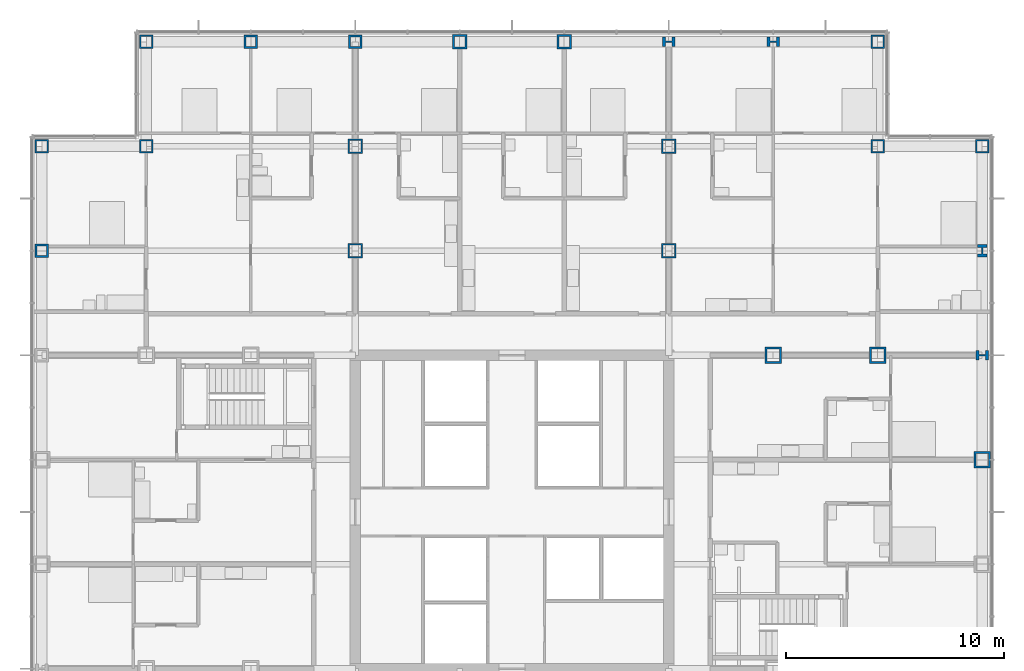
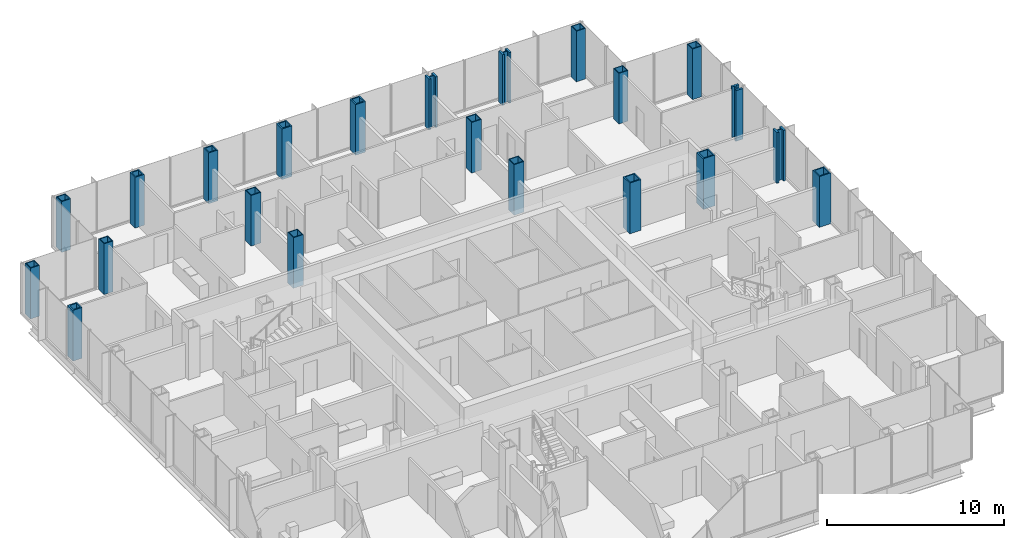
# One storey, part 5 of 21: 22 columns.
"""IFC4 building model written with IfcOpenShell, lengths in metres."""

from ifc_helpers import new_model, si_unit, direction, frame, origin, origin_2d, place, context, subcontext, project, spatial, hollow_rectangle, i_section, extrude, material, material_profile, profile_set, type_object, element, save


model = new_model("IFC4")

# Units and contexts
model_context = context("Model", 3, precision=1e-05, world=origin(), true_north=direction((0.0, 1.0)))
body_context = subcontext(model_context, "Body", "Model", "MODEL_VIEW")
ifc_project = project(units=[si_unit("LENGTHUNIT", "METRE"), si_unit("AREAUNIT", "SQUARE_METRE"), si_unit("VOLUMEUNIT", "CUBIC_METRE"), si_unit("PLANEANGLEUNIT", "RADIAN"), si_unit("MASSUNIT", "GRAM", prefix="KILO")], contexts=[model_context])

# Site, building, storey
site_placement = place(None, origin())
site = spatial("IfcSite", under=ifc_project, at=site_placement, CompositionType="ELEMENT")
building_placement = place(site_placement, origin())
building = spatial("IfcBuilding", under=site, at=building_placement, Name="Kvirike Care Tower", CompositionType="ELEMENT")
storey_placement = place(building_placement, frame((0.0, 0.0, 48.0)))
storey = spatial("IfcBuildingStorey", under=building, at=storey_placement, Name="L12", CompositionType="ELEMENT", Elevation=48.0)

# Columns
ifc_material_1 = material(Name="Steel S460", Category="steel")
ifc_material_profile_1 = material_profile(ifc_material_1, hollow_rectangle(XDim=0.60009765625, YDim=0.60009765625, WallThickness=0.050048828125, at=origin_2d()), Name="BX 600x600x50")
ifc_profile_set_1 = profile_set([ifc_material_profile_1], Name="Steel S460")
column_type_1 = type_object("IfcColumnType", Name="COLUMN BX 600x600x50", PredefinedType="COLUMN", material=ifc_profile_set_1)
for number, where, z_axis, x_axis, name in (
    (1, (38.39990234375, 52.800048828125, 0.0), (0.0, 0.0, 1.0), (0.0, 1.0, 0.0), "Column M11 L12"),
    (2, (38.39990234375, 57.60009765625, 0.0), (0.0, 0.0, 1.0), (0.0, 1.0, 0.0), "Column N11 L12"),
    (3, (43.199951171875, 52.800048828125, 0.0), (0.0, 0.0, 1.0), (0.0, 1.0, 0.0), "Column M12 L12"),
):
    element("IfcColumn", number, at=place(storey_placement, frame(where, z_axis=z_axis, x_axis=x_axis)), inside=storey, type_object=column_type_1, Name=name, PredefinedType="COLUMN", context=body_context, shape_type="SweptSolid", body=[
        extrude(hollow_rectangle(XDim=0.60009765625, YDim=0.60009765625, WallThickness=0.050048828125, at=origin_2d()), origin(), (0.0, 0.0, 1.0), 3.5),
    ])
ifc_material_2 = material(Name="Steel S460", Category="steel")
ifc_material_profile_2 = material_profile(ifc_material_2, hollow_rectangle(XDim=0.60009765625, YDim=0.60009765625, WallThickness=0.06005859375, at=origin_2d()), Name="BX 600x600x60")
ifc_profile_set_2 = profile_set([ifc_material_profile_2], Name="Steel S460")
column_type_2 = type_object("IfcColumnType", Name="COLUMN BX 600x600x60", PredefinedType="COLUMN", material=ifc_profile_set_2)
for number, where, z_axis, x_axis, name in (
    (4, (0.0, 52.800048828125, 0.0), (0.0, 0.0, 1.0), (0.0, 1.0, 0.0), "Column M3 L12"),
    (5, (4.800048828125, 52.800048828125, 0.0), (0.0, 0.0, 1.0), (0.0, 1.0, 0.0), "Column M4 L12"),
    (6, (4.800048828125, 57.60009765625, 0.0), (0.0, 0.0, 1.0), (0.0, 1.0, 0.0), "Column N4 L12"),
):
    element("IfcColumn", number, at=place(storey_placement, frame(where, z_axis=z_axis, x_axis=x_axis)), inside=storey, type_object=column_type_2, Name=name, PredefinedType="COLUMN", context=body_context, shape_type="SweptSolid", body=[
        extrude(hollow_rectangle(XDim=0.60009765625, YDim=0.60009765625, WallThickness=0.06005859375, at=origin_2d()), origin(), (0.0, 0.0, 1.0), 3.5),
    ])
ifc_material_3 = material(Name="Steel S460", Category="steel")
ifc_material_profile_3 = material_profile(ifc_material_3, hollow_rectangle(XDim=0.60009765625, YDim=0.60009765625, WallThickness=0.080078125, at=origin_2d()), Name="BX 600x600x80")
ifc_profile_set_3 = profile_set([ifc_material_profile_3], Name="Steel S460")
column_type_3 = type_object("IfcColumnType", Name="COLUMN BX 600x600x80", PredefinedType="COLUMN", material=ifc_profile_set_3)
for number, where, z_axis, x_axis, name in (
    (7, (0.0, 48.0, 0.0), (0.0, 0.0, 1.0), (1.0, 0.0, 0.0), "Column L3 L12"),
    (8, (9.60009765625, 57.60009765625, 0.0), (0.0, 0.0, 1.0), (0.0, 1.0, 0.0), "Column N5 L12"),
    (9, (14.39990234375, 57.60009765625, 0.0), (0.0, 0.0, 1.0), (0.0, 1.0, 0.0), "Column N6 L12"),
):
    element("IfcColumn", number, at=place(storey_placement, frame(where, z_axis=z_axis, x_axis=x_axis)), inside=storey, type_object=column_type_3, Name=name, PredefinedType="COLUMN", context=body_context, shape_type="SweptSolid", body=[
        extrude(hollow_rectangle(XDim=0.60009765625, YDim=0.60009765625, WallThickness=0.080078125, at=origin_2d()), origin(), (0.0, 0.0, 1.0), 3.5),
    ])
ifc_material_4 = material(Name="Steel S460", Category="steel")
ifc_material_profile_4 = material_profile(ifc_material_4, hollow_rectangle(XDim=0.64990234375, YDim=0.64990234375, WallThickness=0.050048828125, at=origin_2d()), Name="BX 650x650x50")
ifc_profile_set_4 = profile_set([ifc_material_profile_4], Name="Steel S460")
column_type_4 = type_object("IfcColumnType", Name="COLUMN BX 650x650x50", PredefinedType="COLUMN", material=ifc_profile_set_4)
for number, where, z_axis, x_axis, name in (
    (10, (14.39990234375, 48.0, 0.0), (0.0, 0.0, 1.0), (1.0, 0.0, 0.0), "Column L6 L12"),
    (11, (14.39990234375, 52.800048828125, 0.0), (0.0, 0.0, 1.0), (1.0, 0.0, 0.0), "Column M6 L12"),
    (12, (28.800048828125, 48.0, 0.0), (0.0, 0.0, 1.0), (1.0, 0.0, 0.0), "Column L9 L12"),
    (13, (28.800048828125, 52.800048828125, 0.0), (0.0, 0.0, 1.0), (1.0, 0.0, 0.0), "Column M9 L12"),
):
    element("IfcColumn", number, at=place(storey_placement, frame(where, z_axis=z_axis, x_axis=x_axis)), inside=storey, type_object=column_type_4, Name=name, PredefinedType="COLUMN", context=body_context, shape_type="SweptSolid", body=[
        extrude(hollow_rectangle(XDim=0.64990234375, YDim=0.64990234375, WallThickness=0.050048828125, at=origin_2d()), origin(), (0.0, 0.0, 1.0), 3.5),
    ])
ifc_material_5 = material(Name="Steel S460", Category="steel")
ifc_material_profile_5 = material_profile(ifc_material_5, hollow_rectangle(XDim=0.64990234375, YDim=0.64990234375, WallThickness=0.080078125, at=origin_2d()), Name="BX 650x650x80")
ifc_profile_set_5 = profile_set([ifc_material_profile_5], Name="Steel S460")
column_type_5 = type_object("IfcColumnType", Name="COLUMN BX 650x650x80", PredefinedType="COLUMN", material=ifc_profile_set_5)
for number, where, z_axis, x_axis, name in (
    (14, (19.199951171875, 57.60009765625, 0.0), (0.0, 0.0, 1.0), (0.0, 1.0, 0.0), "Column N7 L12"),
    (15, (24.0, 57.60009765625, 0.0), (0.0, 0.0, 1.0), (0.0, 1.0, 0.0), "Column N8 L12"),
):
    element("IfcColumn", number, at=place(storey_placement, frame(where, z_axis=z_axis, x_axis=x_axis)), inside=storey, type_object=column_type_5, Name=name, PredefinedType="COLUMN", context=body_context, shape_type="SweptSolid", body=[
        extrude(hollow_rectangle(XDim=0.64990234375, YDim=0.64990234375, WallThickness=0.080078125, at=origin_2d()), origin(), (0.0, 0.0, 1.0), 3.5),
    ])
ifc_material_6 = material(Name="Steel S460", Category="steel")
ifc_material_profile_6 = material_profile(ifc_material_6, hollow_rectangle(XDim=0.75, YDim=0.75, WallThickness=0.080078125, at=origin_2d()), Name="BX 750x750x80")
ifc_profile_set_6 = profile_set([ifc_material_profile_6], Name="Steel S460")
column_type_6 = type_object("IfcColumnType", Name="COLUMN BX 750x750x80", PredefinedType="COLUMN", material=ifc_profile_set_6)
for number, where, z_axis, x_axis, name in (
    (16, (33.60009765625, 43.199951171875, 0.0), (0.0, 0.0, 1.0), (0.0, 1.0, 0.0), "Column K10 L12"),
    (17, (38.39990234375, 43.199951171875, 0.0), (0.0, 0.0, 1.0), (0.0, 1.0, 0.0), "Column K11 L12"),
    (18, (43.199951171875, 38.39990234375, 0.0), (0.0, 0.0, 1.0), (1.0, 0.0, 0.0), "Column J12 L12"),
):
    element("IfcColumn", number, at=place(storey_placement, frame(where, z_axis=z_axis, x_axis=x_axis)), inside=storey, type_object=column_type_6, Name=name, PredefinedType="COLUMN", context=body_context, shape_type="SweptSolid", body=[
        extrude(hollow_rectangle(XDim=0.75, YDim=0.75, WallThickness=0.080078125, at=origin_2d()), origin(), (0.0, 0.0, 1.0), 3.5),
    ])
ifc_material_7 = material(Name="Steel S460", Category="steel")
ifc_material_profile_7 = material_profile(ifc_material_7, i_section(OverallWidth=0.4541015625, OverallDepth=0.569091796875, WebThickness=0.077880859375, FlangeThickness=0.125, FilletRadius=0.014892578125, at=origin_2d()), Name="HD 400x1086")
ifc_profile_set_7 = profile_set([ifc_material_profile_7], Name="Steel S460")
column_type_7 = type_object("IfcColumnType", Name="COLUMN HD 400x1086", PredefinedType="COLUMN", material=ifc_profile_set_7)
for number, where, z_axis, x_axis, name in (
    (19, (28.800048828125, 57.60009765625, 0.0), (0.0, 0.0, 1.0), (0.0, 1.0, 0.0), "Column N9 L12"),
    (20, (33.60009765625, 57.60009765625, 0.0), (0.0, 0.0, 1.0), (0.0, 1.0, 0.0), "Column N10 L12"),
    (21, (43.199951171875, 43.199951171875, 0.0), (0.0, 0.0, 1.0), (0.0, 1.0, 0.0), "Column K12 L12"),
    (22, (43.199951171875, 48.0, 0.0), (0.0, 0.0, 1.0), (1.0, 0.0, 0.0), "Column L12 L12"),
):
    element("IfcColumn", number, at=place(storey_placement, frame(where, z_axis=z_axis, x_axis=x_axis)), inside=storey, type_object=column_type_7, Name=name, PredefinedType="COLUMN", context=body_context, shape_type="SweptSolid", body=[
        extrude(i_section(OverallWidth=0.4541015625, OverallDepth=0.569091796875, WebThickness=0.077880859375, FlangeThickness=0.125, FilletRadius=0.014892578125, at=origin_2d()), origin(), (0.0, 0.0, 1.0), 3.5),
    ])

save(model, "model.ifc")
